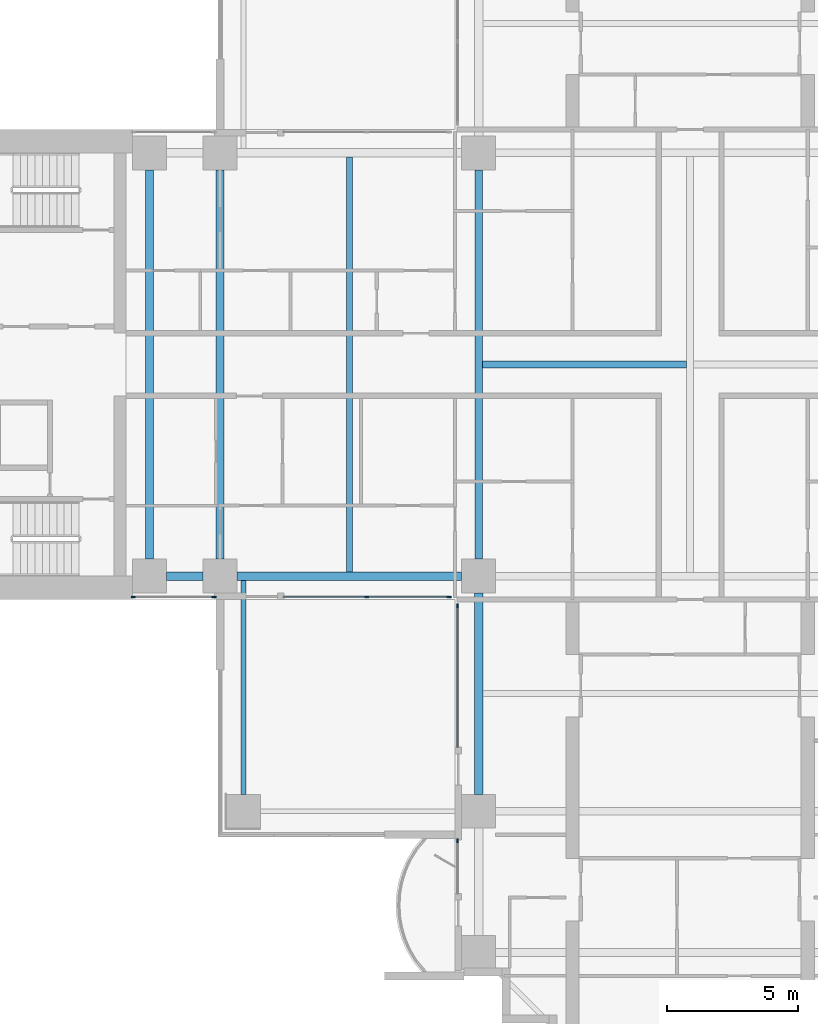
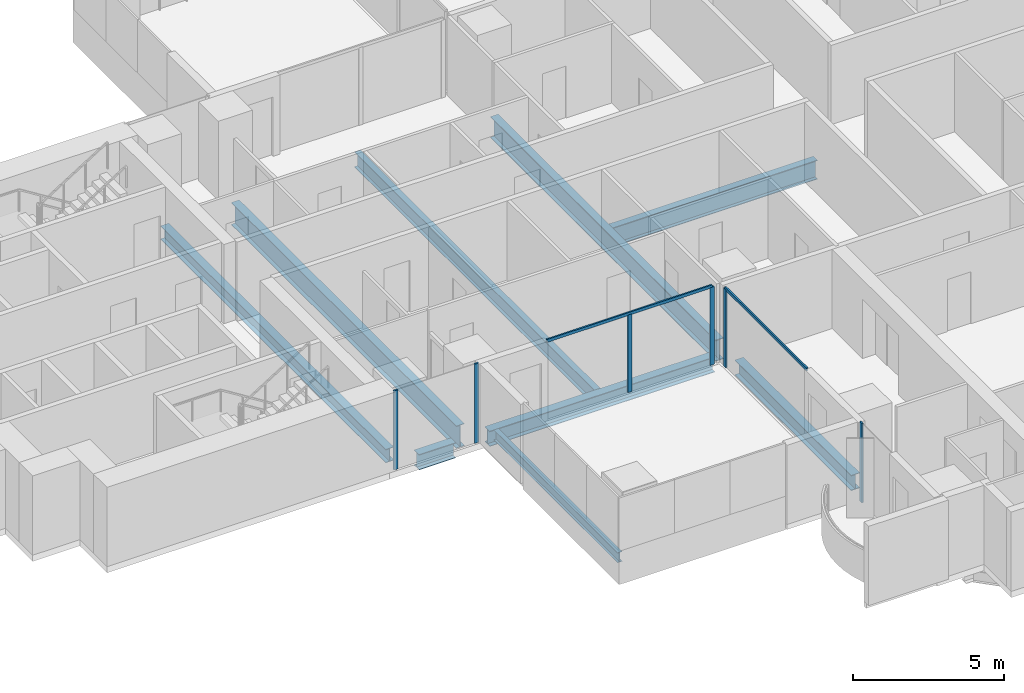
# One storey, part 2 of 21: 9 beams, 8 members, 4 elements without a shape of their own.
"""IFC4 building model written with IfcOpenShell, lengths in metres."""

from ifc_helpers import new_model, si_unit, direction, frame, origin, origin_2d, place, context, subcontext, project, spatial, rectangle, i_section, extrude, material, material_profile, profile_set, type_object, element, aggregate, save


model = new_model("IFC4")

# Units and contexts
model_context = context("Model", 3, precision=1e-05, world=origin(), true_north=direction((0.0, 1.0)))
body_context = subcontext(model_context, "Body", "Model", "MODEL_VIEW")
ifc_project = project(units=[si_unit("LENGTHUNIT", "METRE"), si_unit("AREAUNIT", "SQUARE_METRE"), si_unit("VOLUMEUNIT", "CUBIC_METRE"), si_unit("PLANEANGLEUNIT", "RADIAN"), si_unit("MASSUNIT", "GRAM", prefix="KILO")], contexts=[model_context])

# Site, building, storey
site_placement = place(None, origin())
site = spatial("IfcSite", under=ifc_project, at=site_placement, CompositionType="ELEMENT")
building_placement = place(site_placement, origin())
building = spatial("IfcBuilding", under=site, at=building_placement, Name="Perihelion Cross Residences", CompositionType="ELEMENT")
storey_placement = place(building_placement, frame((0.0, 0.0, 89.0)))
storey = spatial("IfcBuildingStorey", under=building, at=storey_placement, Name="L20", CompositionType="ELEMENT", Elevation=89.0)

# Curtain wall, members
ifc_material_1 = material(Name="Bronze anodised aluminium, tinted glazing", Category="aluminium")
curtain_wall_type = type_object("IfcCurtainWallType", Name="CW1", PredefinedType="NOTDEFINED", material=ifc_material_1)
curtain_wall_1_placement = place(storey_placement, origin())
curtain_wall_1 = element("IfcCurtainWall", 1, at=curtain_wall_1_placement, inside=storey, type_object=curtain_wall_type, Name="Curtain wall CW1 L20 west side south bay 1", PredefinedType="NOTDEFINED")
ifc_material_2 = material(Name="Bronze anodised aluminium", Category="aluminium")
ifc_material_profile_1 = material_profile(ifc_material_2, rectangle(XDim=0.06005859375, YDim=0.159912109375, at=origin_2d()), Name="CW1 mullion")
ifc_profile_set_1 = profile_set([ifc_material_profile_1], Name="Bronze anodised aluminium")
member_type_1 = type_object("IfcMemberType", Name="CW1 mullion", PredefinedType="MULLION", material=ifc_profile_set_1)
member_1_placement = place(storey_placement, frame((-21.320068359375, -8.89990234375, 0.0), z_axis=(0.0, 0.0, 1.0), x_axis=(0.0, 1.0, 0.0)))
member_1 = element("IfcMember", 2, at=member_1_placement, type_object=member_type_1, Name="CW1 mullion 1", PredefinedType="MULLION", context=body_context, shape_type="SweptSolid", body=[
    extrude(rectangle(XDim=0.06005859375, YDim=0.159912109375, at=origin_2d()), origin(), (0.0, 0.0, 1.0), 3.199951171875),
])
member_2_placement = place(storey_placement, frame((-18.22998046875, -8.89990234375, 0.0), z_axis=(0.0, 0.0, 1.0), x_axis=(0.0, 1.0, 0.0)))
member_2 = element("IfcMember", 3, at=member_2_placement, type_object=member_type_1, Name="CW1 mullion 2", PredefinedType="MULLION", context=body_context, shape_type="SweptSolid", body=[
    extrude(rectangle(XDim=0.06005859375, YDim=0.159912109375, at=origin_2d()), origin(), (0.0, 0.0, 1.0), 3.199951171875),
])
aggregate(curtain_wall_1, [member_1, member_2])

curtain_wall_2_placement = place(storey_placement, origin())
curtain_wall_2 = element("IfcCurtainWall", 4, at=curtain_wall_2_placement, inside=storey, type_object=curtain_wall_type, Name="Curtain wall CW1 L20 west side south bay 2", PredefinedType="NOTDEFINED")
member_3_placement = place(storey_placement, frame((-12.375, -8.89990234375, 0.0), z_axis=(0.0, 0.0, 1.0), x_axis=(0.0, 1.0, 0.0)))
member_3 = element("IfcMember", 5, at=member_3_placement, type_object=member_type_1, Name="CW1 mullion 2", PredefinedType="MULLION", context=body_context, shape_type="SweptSolid", body=[
    extrude(rectangle(XDim=0.06005859375, YDim=0.159912109375, at=origin_2d()), origin(), (0.0, 0.0, 1.0), 3.139892578125),
])
member_4_placement = place(storey_placement, frame((-9.22998046875, -8.89990234375, 0.0), z_axis=(0.0, 0.0, 1.0), x_axis=(0.0, 1.0, 0.0)))
member_4 = element("IfcMember", 6, at=member_4_placement, type_object=member_type_1, Name="CW1 mullion 3", PredefinedType="MULLION", context=body_context, shape_type="SweptSolid", body=[
    extrude(rectangle(XDim=0.06005859375, YDim=0.159912109375, at=origin_2d()), origin(), (0.0, 0.0, 1.0), 3.139892578125),
])

# Curtain wall, member
curtain_wall_3_placement = place(storey_placement, origin())
curtain_wall_3 = element("IfcCurtainWall", 7, at=curtain_wall_3_placement, inside=storey, type_object=curtain_wall_type, Name="Curtain wall CW1 L20 south side west bay 1", PredefinedType="NOTDEFINED")
member_5_placement = place(storey_placement, frame((-8.89990234375, -9.22998046875, 0.0), z_axis=(0.0, 0.0, 1.0), x_axis=(1.0, 0.0, 0.0)))
member_5 = element("IfcMember", 8, at=member_5_placement, type_object=member_type_1, Name="CW1 mullion 1", PredefinedType="MULLION", context=body_context, shape_type="SweptSolid", body=[
    extrude(rectangle(XDim=0.06005859375, YDim=0.159912109375, at=origin_2d()), origin(), (0.0, 0.0, 1.0), 3.139892578125),
])

curtain_wall_4_placement = place(storey_placement, origin())
curtain_wall_4 = element("IfcCurtainWall", 9, at=curtain_wall_4_placement, inside=storey, type_object=curtain_wall_type, Name="Curtain wall CW1 L20 south side west bay 2", PredefinedType="NOTDEFINED")
member_6_placement = place(storey_placement, frame((-8.89990234375, -18.22998046875, 0.0), z_axis=(0.0, 0.0, 1.0), x_axis=(1.0, 0.0, 0.0)))
member_6 = element("IfcMember", 10, at=member_6_placement, type_object=member_type_1, Name="CW1 mullion 1", PredefinedType="MULLION", context=body_context, shape_type="SweptSolid", body=[
    extrude(rectangle(XDim=0.06005859375, YDim=0.159912109375, at=origin_2d()), origin(), (0.0, 0.0, 1.0), 3.199951171875),
])
aggregate(curtain_wall_4, [member_6])

# Member
ifc_material_3 = material(Name="Bronze anodised aluminium", Category="aluminium")
ifc_material_profile_2 = material_profile(ifc_material_3, rectangle(XDim=0.06005859375, YDim=0.1201171875, at=origin_2d()), Name="CW1 transom")
ifc_profile_set_2 = profile_set([ifc_material_profile_2], Name="Bronze anodised aluminium")
member_type_2 = type_object("IfcMemberType", Name="CW1 transom", PredefinedType="USERDEFINED", material=ifc_profile_set_2)
member_7_placement = place(storey_placement, frame((-15.550048828125, -8.89990234375, 3.169921875), z_axis=(1.0, 0.0, 0.0), x_axis=(0.0, 1.0, 0.0)))
member_7 = element("IfcMember", 11, at=member_7_placement, type_object=member_type_2, Name="CW1 head transom", ObjectType="TRANSOM", PredefinedType="USERDEFINED", context=body_context, shape_type="SweptSolid", body=[
    extrude(rectangle(XDim=0.06005859375, YDim=0.1201171875, at=origin_2d()), origin(), (0.0, 0.0, 1.0), 6.320068359375),
])

aggregate(curtain_wall_2, [member_3, member_4, member_7])

member_8_placement = place(storey_placement, frame((-8.89990234375, -9.22998046875, 3.169921875), z_axis=(0.0, -1.0, 0.0), x_axis=(1.0, 0.0, 0.0)))
member_8 = element("IfcMember", 12, at=member_8_placement, type_object=member_type_2, Name="CW1 head transom", ObjectType="TRANSOM", PredefinedType="USERDEFINED", context=body_context, shape_type="SweptSolid", body=[
    extrude(rectangle(XDim=0.06005859375, YDim=0.1201171875, at=origin_2d()), origin(), (0.0, 0.0, 1.0), 5.419921875),
])

aggregate(curtain_wall_3, [member_5, member_8])

# Beams
ifc_material_4 = material(Name="Steel S355", Category="steel")
ifc_material_profile_3 = material_profile(ifc_material_4, i_section(OverallWidth=0.177978515625, OverallDepth=0.406005859375, WebThickness=0.0078125, FlangeThickness=0.0126953125, at=origin_2d()), Name="W410x60")
ifc_profile_set_3 = profile_set([ifc_material_profile_3], Name="Steel S355")
beam_type_1 = type_object("IfcBeamType", Name="Core edge beam W410x60", PredefinedType="BEAM", material=ifc_profile_set_3)
beam_1_placement = place(storey_placement, frame((-17.10009765625, -8.262451171875, -0.452880859375), z_axis=(0.0, -1.0, 0.0), x_axis=(1.0, 0.0, 0.0)))
element("IfcBeam", 13, at=beam_1_placement, inside=storey, type_object=beam_type_1, Name="Core edge beam TB2 L20 corner no. 1", PredefinedType="BEAM", context=body_context, shape_type="SweptSolid", body=[
    extrude(i_section(OverallWidth=0.177978515625, OverallDepth=0.406005859375, WebThickness=0.0078125, FlangeThickness=0.0126953125, at=origin_2d()), origin(), (0.0, 0.0, 1.0), 8.1875),
])
ifc_material_5 = material(Name="Steel S355", Category="steel")
ifc_material_profile_4 = material_profile(ifc_material_5, i_section(OverallWidth=0.31201171875, OverallDepth=0.5439453125, WebThickness=0.0126953125, FlangeThickness=0.020263671875, at=origin_2d()), Name="W530x150")
ifc_profile_set_4 = profile_set([ifc_material_profile_4], Name="Steel S355")
beam_type_2 = type_object("IfcBeamType", Name="Core edge beam W530x150", PredefinedType="BEAM", material=ifc_profile_set_4)
beam_2_placement = place(storey_placement, frame((-20.699951171875, -7.449951171875, -0.52197265625), z_axis=(0.0, 1.0, 0.0), x_axis=(-1.0, 0.0, 0.0)))
element("IfcBeam", 14, at=beam_2_placement, inside=storey, type_object=beam_type_2, Name="Core edge beam TB4 L20 no. 1", PredefinedType="BEAM", context=body_context, shape_type="SweptSolid", body=[
    extrude(i_section(OverallWidth=0.31201171875, OverallDepth=0.5439453125, WebThickness=0.0126953125, FlangeThickness=0.020263671875, at=origin_2d()), origin(), (0.0, 0.0, 1.0), 14.89990234375),
])
ifc_material_6 = material(Name="Steel S355", Category="steel")
ifc_material_profile_5 = material_profile(ifc_material_6, i_section(OverallWidth=0.324951171875, OverallDepth=0.616943359375, WebThickness=0.013916015625, FlangeThickness=0.021484375, at=origin_2d()), Name="W610x174")
ifc_profile_set_5 = profile_set([ifc_material_profile_5], Name="Steel S355")
beam_type_3 = type_object("IfcBeamType", Name="Edge beam W610x174", PredefinedType="SPANDREL", material=ifc_profile_set_5)
beam_3_placement = place(storey_placement, frame((-20.050048828125, -8.10009765625, -0.55859375), z_axis=(1.0, 0.0, 0.0), x_axis=(0.0, 1.0, 0.0)))
element("IfcBeam", 15, at=beam_3_placement, inside=storey, type_object=beam_type_3, Name="Edge beam SB2 L20 no. 3", PredefinedType="SPANDREL", context=body_context, shape_type="SweptSolid", body=[
    extrude(i_section(OverallWidth=0.324951171875, OverallDepth=0.616943359375, WebThickness=0.013916015625, FlangeThickness=0.021484375, at=origin_2d()), origin(), (0.0, 0.0, 1.0), 1.400146484375),
])
beam_4_placement = place(storey_placement, frame((-17.35009765625, -8.10009765625, -0.55859375), z_axis=(1.0, 0.0, 0.0), x_axis=(0.0, 1.0, 0.0)))
element("IfcBeam", 16, at=beam_4_placement, inside=storey, type_object=beam_type_3, Name="Edge beam SB2 L20 no. 1", PredefinedType="SPANDREL", context=body_context, shape_type="SweptSolid", body=[
    extrude(i_section(OverallWidth=0.324951171875, OverallDepth=0.616943359375, WebThickness=0.013916015625, FlangeThickness=0.021484375, at=origin_2d()), origin(), (0.0, 0.0, 1.0), 8.60009765625),
])
beam_5_placement = place(storey_placement, frame((-8.10009765625, -8.75, -0.55859375), z_axis=(0.0, -1.0, 0.0), x_axis=(1.0, 0.0, 0.0)))
element("IfcBeam", 17, at=beam_5_placement, inside=storey, type_object=beam_type_3, Name="Edge beam SB2 L20 no. 6", PredefinedType="SPANDREL", context=body_context, shape_type="SweptSolid", body=[
    extrude(i_section(OverallWidth=0.324951171875, OverallDepth=0.616943359375, WebThickness=0.013916015625, FlangeThickness=0.021484375, at=origin_2d()), origin(), (0.0, 0.0, 1.0), 7.699951171875),
])
ifc_material_7 = material(Name="Steel S355", Category="steel")
ifc_material_profile_6 = material_profile(ifc_material_7, i_section(OverallWidth=0.304931640625, OverallDepth=0.904052734375, WebThickness=0.01513671875, FlangeThickness=0.02001953125, at=origin_2d()), Name="W920x201")
ifc_profile_set_6 = profile_set([ifc_material_profile_6], Name="Steel S355")
beam_type_4 = type_object("IfcBeamType", Name="Floor girder W920x201", PredefinedType="BEAM", material=ifc_profile_set_6)
beam_6_placement = place(storey_placement, frame((-18.0, -7.449951171875, -0.701904296875), z_axis=(0.0, 1.0, 0.0), x_axis=(-1.0, 0.0, 0.0)))
element("IfcBeam", 18, at=beam_6_placement, inside=storey, type_object=beam_type_4, Name="Girder G2 L20 no. 1", PredefinedType="BEAM", context=body_context, shape_type="SweptSolid", body=[
    extrude(i_section(OverallWidth=0.304931640625, OverallDepth=0.904052734375, WebThickness=0.01513671875, FlangeThickness=0.02001953125, at=origin_2d()), origin(), (0.0, 0.0, 1.0), 14.89990234375),
])
ifc_material_8 = material(Name="Steel S355", Category="steel")
ifc_material_profile_7 = material_profile(ifc_material_8, i_section(OverallWidth=0.22900390625, OverallDepth=0.612060546875, WebThickness=0.011962890625, FlangeThickness=0.01953125, at=origin_2d()), Name="W610x125")
ifc_profile_set_7 = profile_set([ifc_material_profile_7], Name="Steel S355")
beam_type_5 = type_object("IfcBeamType", Name="Floor joist W610x125", PredefinedType="JOIST", material=ifc_profile_set_7)
beam_7_placement = place(storey_placement, frame((-13.050048828125, -7.9375, -0.555908203125), z_axis=(0.0, 1.0, 0.0), x_axis=(-1.0, 0.0, 0.0)))
element("IfcBeam", 19, at=beam_7_placement, inside=storey, type_object=beam_type_5, Name="Joist J3 L20 no. 1", PredefinedType="JOIST", context=body_context, shape_type="SweptSolid", body=[
    extrude(i_section(OverallWidth=0.22900390625, OverallDepth=0.612060546875, WebThickness=0.011962890625, FlangeThickness=0.01953125, at=origin_2d()), origin(), (0.0, 0.0, 1.0), 15.875),
])
ifc_material_9 = material(Name="Steel S355", Category="steel")
ifc_material_profile_8 = material_profile(ifc_material_9, i_section(OverallWidth=0.26708984375, OverallDepth=0.77001953125, WebThickness=0.015625, FlangeThickness=0.025390625, at=origin_2d()), Name="W760x196")
ifc_profile_set_8 = profile_set([ifc_material_profile_8], Name="Steel S355")
beam_type_6 = type_object("IfcBeamType", Name="Hub cross beam W760x196", PredefinedType="BEAM", material=ifc_profile_set_8)
beam_8_placement = place(storey_placement, frame((-7.9541015625, 0.0, -0.635009765625), z_axis=(1.0, 0.0, 0.0), x_axis=(0.0, 1.0, 0.0)))
element("IfcBeam", 20, at=beam_8_placement, inside=storey, type_object=beam_type_6, Name="Hub cross beam XB2 L20 1 no. 1", PredefinedType="BEAM", context=body_context, shape_type="SweptSolid", body=[
    extrude(i_section(OverallWidth=0.26708984375, OverallDepth=0.77001953125, WebThickness=0.015625, FlangeThickness=0.025390625, at=origin_2d()), origin(), (0.0, 0.0, 1.0), 7.820556640625),
])
ifc_material_10 = material(Name="Steel S355", Category="steel")
ifc_material_profile_9 = material_profile(ifc_material_10, i_section(OverallWidth=0.2919921875, OverallDepth=0.85888671875, WebThickness=0.01708984375, FlangeThickness=0.031005859375, at=origin_2d()), Name="W840x251")
ifc_profile_set_9 = profile_set([ifc_material_profile_9], Name="Steel S355")
beam_type_7 = type_object("IfcBeamType", Name="Hub ring girder W840x251", PredefinedType="BEAM", material=ifc_profile_set_9)
beam_9_placement = place(storey_placement, frame((-8.10009765625, 7.449951171875, -0.679443359375), z_axis=(0.0, -1.0, 0.0), x_axis=(1.0, 0.0, 0.0)))
element("IfcBeam", 21, at=beam_9_placement, inside=storey, type_object=beam_type_7, Name="Hub ring girder RG2 L20 no. 2", PredefinedType="BEAM", context=body_context, shape_type="SweptSolid", body=[
    extrude(i_section(OverallWidth=0.2919921875, OverallDepth=0.85888671875, WebThickness=0.01708984375, FlangeThickness=0.031005859375, at=origin_2d()), origin(), (0.0, 0.0, 1.0), 14.89990234375),
])

save(model, "model.ifc")
